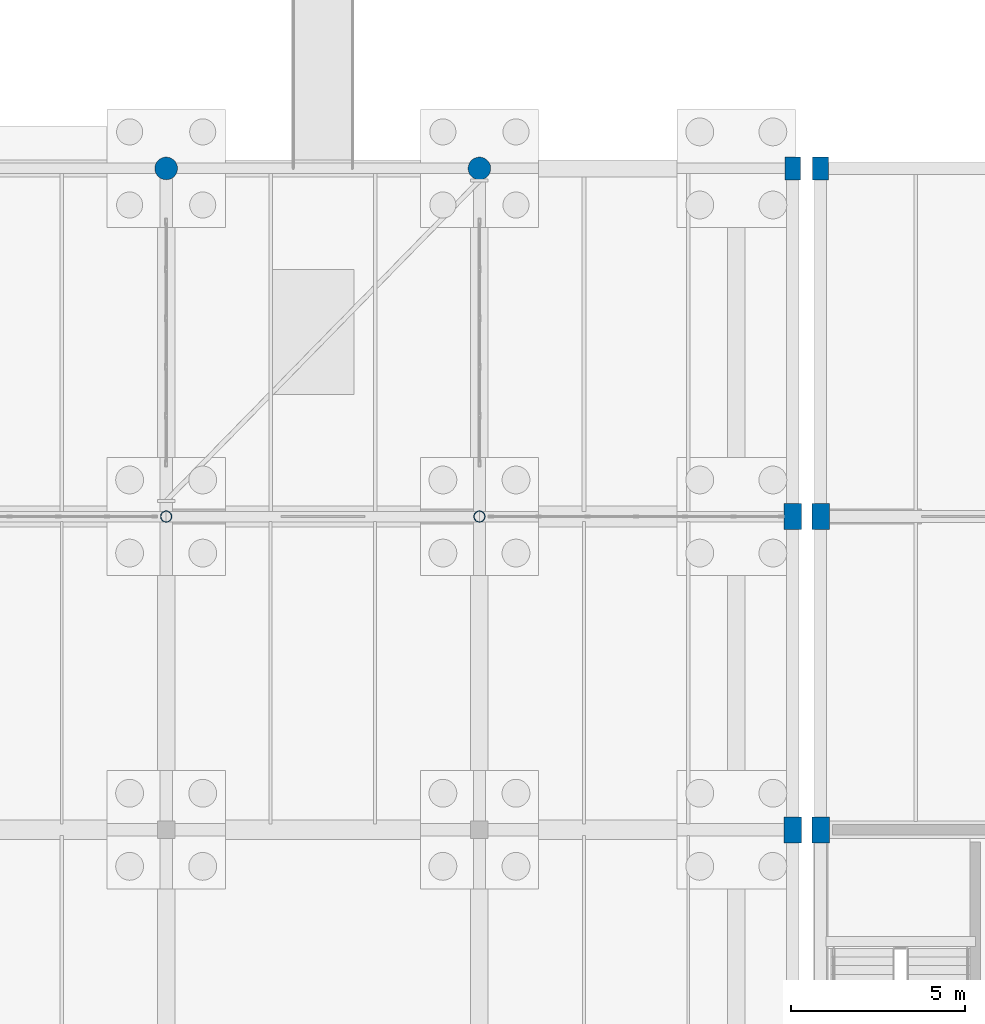
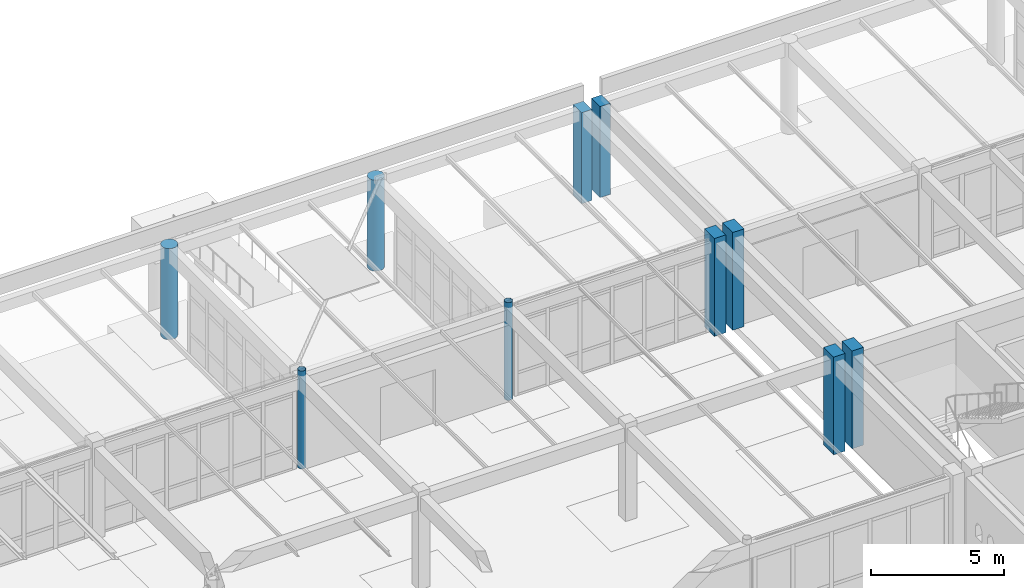
# One storey, part 14 of 186: 10 columns.
"""IFC4 building model written with IfcOpenShell, lengths in metres."""

import ifcopenshell
import ifcopenshell.guid

model = None  # the IFC model being written
_history = None  # IfcOwnerHistory: only IFC2X3 demands one
_inside = {}  # id of a spatial element -> (the spatial element, [elements in it])
_under = {}  # id of a project, library or spatial element -> (it, [spatial elements below it])
_declared = {}  # id of a project -> (the project, [libraries it declares])
_typed = {}  # id of a type object -> (the type object, [elements of that type])
_made_of = {}  # id of a material, layer set ... -> (it, [elements and type objects made of it])


def new_model(schema):
    """Start an empty IFC model of exactly this schema.

    Asked for "IFC4X3", IfcOpenShell would pick the latest addendum, in which some entities
    have other attributes; the version numbers below select the first issue.
    IFC2X3 requires an IfcOwnerHistory on every rooted entity: one is made here for all.
    """
    global model, _history
    if schema == "IFC4X3":
        model = ifcopenshell.file(schema_version=(4, 3, 0, 0))
    else:
        model = ifcopenshell.file(schema=schema)
    _inside.clear()
    _under.clear()
    _declared.clear()
    _typed.clear()
    _made_of.clear()
    _history = None
    if model.schema == "IFC2X3":
        org = make("IfcOrganization", Name="unknown")
        user = make(
            "IfcPersonAndOrganization",
            ThePerson=make("IfcPerson", FamilyName="unknown"),
            TheOrganization=org,
        )
        app = make(
            "IfcApplication",
            ApplicationDeveloper=org,
            Version="unknown",
            ApplicationFullName="unknown",
            ApplicationIdentifier="unknown",
        )
        _history = make(
            "IfcOwnerHistory",
            OwningUser=user,
            OwningApplication=app,
            ChangeAction="ADDED",
            CreationDate=0,
        )
    return model


def make(cls, **values):
    """One entity of the class cls with the attributes given. An attribute that is None is left unset."""
    return model.create_entity(
        cls, **{name: value for name, value in values.items() if value is not None}
    )


def rooted(cls, **values):
    """An entity with a GlobalId (a new one), such as an element, a storey or a relation."""
    return make(cls, GlobalId=ifcopenshell.guid.new(), OwnerHistory=_history, **values)


def si_unit(unit_type, name, prefix=None):
    """IfcSIUnit, for example si_unit("LENGTHUNIT", "METRE", prefix="MILLI")."""
    return make("IfcSIUnit", UnitType=unit_type, Prefix=prefix, Name=name)


def assignment(units):
    """IfcUnitAssignment: the units of a project."""
    return None if units is None else make("IfcUnitAssignment", Units=units)


def point(xyz):
    """IfcCartesianPoint."""
    return None if xyz is None else make("IfcCartesianPoint", Coordinates=xyz)


def direction(xyz):
    """IfcDirection."""
    return None if xyz is None else make("IfcDirection", DirectionRatios=xyz)


def frame(location, z_axis=None, x_axis=None):
    """IfcAxis2Placement3D, a coordinate frame: its origin and axes. An axis left out is left unset."""
    return make(
        "IfcAxis2Placement3D",
        Location=point(location),
        Axis=direction(z_axis),
        RefDirection=direction(x_axis),
    )


def frame_2d(location, x_axis=None):
    """IfcAxis2Placement2D, a coordinate frame in the plane: its origin and x axis."""
    return make(
        "IfcAxis2Placement2D", Location=point(location), RefDirection=direction(x_axis)
    )


def origin():
    """The frame at (0, 0, 0) with its axes left unset."""
    return frame((0.0, 0.0, 0.0))


def origin_2d():
    """The frame at (0, 0) in the plane with its x axis left unset."""
    return frame_2d((0.0, 0.0))


def place(relative_to, where):
    """IfcLocalPlacement: puts the frame where relative to a parent placement (None: the world)."""
    return make(
        "IfcLocalPlacement", PlacementRelTo=relative_to, RelativePlacement=where
    )


def context(
    kind, dimensions, precision=None, world=None, true_north=None, identifier=None
):
    """IfcGeometricRepresentationContext, for example the 3D "Model" context."""
    return make(
        "IfcGeometricRepresentationContext",
        ContextIdentifier=identifier,
        ContextType=kind,
        CoordinateSpaceDimension=dimensions,
        Precision=precision,
        WorldCoordinateSystem=world,
        TrueNorth=true_north,
    )


def subcontext(parent, identifier, kind, view, scale=None):
    """IfcGeometricRepresentationSubContext, for example "Body" below "Model"."""
    return make(
        "IfcGeometricRepresentationSubContext",
        ContextIdentifier=identifier,
        ContextType=kind,
        ParentContext=parent,
        TargetScale=scale,
        TargetView=view,
    )


def project(units=None, contexts=None):
    """IfcProject with its units and contexts."""
    return rooted(
        "IfcProject",
        Name="project",
        RepresentationContexts=contexts,
        UnitsInContext=assignment(units),
    )


def spatial(cls, under=None, at=None, **own):
    """A site, building, storey or space (cls), placed at a placement, below another one or the project."""
    s = rooted(cls, ObjectPlacement=at, **own)
    if under is not None:
        _under.setdefault(under.id(), (under, []))[1].append(s)
    return s


def profile(cls, at=None, kind="AREA", **sizes):
    """A parametric profile (cls). Its sizes go by their IFC names, for example OverallWidth=200.0."""
    return make(cls, ProfileType=kind, Position=at, **sizes)


def rectangle(**sizes):
    """IfcRectangleProfileDef."""
    return profile("IfcRectangleProfileDef", **sizes)


def circle(**sizes):
    """IfcCircleProfileDef."""
    return profile("IfcCircleProfileDef", **sizes)


def hollow_circle(**sizes):
    """IfcCircleHollowProfileDef."""
    return profile("IfcCircleHollowProfileDef", **sizes)


def extrude(swept, where, along, depth):
    """IfcExtrudedAreaSolid: the profile swept, set in the frame where, extruded along a direction by depth."""
    return make(
        "IfcExtrudedAreaSolid",
        SweptArea=swept,
        Position=where,
        ExtrudedDirection=direction(along),
        Depth=depth,
    )


def shape(context_of_items, identifier, shape_type, items):
    """IfcShapeRepresentation: the items that make up one representation, for example the "Body"."""
    return make(
        "IfcShapeRepresentation",
        ContextOfItems=context_of_items,
        RepresentationIdentifier=identifier,
        RepresentationType=shape_type,
        Items=items,
    )


def material(Name=None, Category=None):
    """IfcMaterial."""
    return make("IfcMaterial", Name=Name, Category=Category)


def material_profile(
    of_material, cross_section, Name=None, Category=None, Priority=None
):
    """IfcMaterialProfile: a cross section and its material."""
    return make(
        "IfcMaterialProfile",
        Name=Name,
        Material=of_material,
        Profile=cross_section,
        Priority=Priority,
        Category=Category,
    )


def profile_set(profiles, Name=None, composite=None):
    """IfcMaterialProfileSet."""
    return make(
        "IfcMaterialProfileSet",
        Name=Name,
        MaterialProfiles=profiles,
        CompositeProfile=composite,
    )


def made_of(thing, what):
    """Note that an element or type object is made of a material, layer set ...; save() writes the relation."""
    if what is not None:
        _made_of.setdefault(what.id(), (what, []))[1].append(thing)
    return thing


def type_object(cls, material=None, **own):
    """A type object (cls), such as IfcWallType, which elements share."""
    return made_of(rooted(cls, **own), material)


def element(
    cls,
    number,
    at=None,
    inside=None,
    cuts=None,
    type_object=None,
    material=None,
    context=None,
    identifier="Body",
    shape_type=None,
    held_by="IfcProductDefinitionShape",
    body=None,
    shapes=None,
    **own,
):
    """One element of the class cls, such as IfcWall. Its Tag is "e" and its number.

    at: its placement. inside: the storey or other place that contains it. cuts: it is an
    opening in that element (IfcRelVoidsElement). A single representation is given by context,
    identifier, shape_type and body (its items); several are given by shapes. held_by: the class
    of the entity that holds the representations. save() writes the other relations.
    """
    e = rooted(cls, Tag="e%d" % number, ObjectPlacement=at, **own)
    if body is not None:
        shapes = [shape(context, identifier, shape_type, body)]
    if shapes is not None:
        e.Representation = make(held_by, Representations=shapes)
    if inside is not None:
        _inside.setdefault(inside.id(), (inside, []))[1].append(e)
    if cuts is not None:
        rooted(
            "IfcRelVoidsElement", RelatingBuildingElement=cuts, RelatedOpeningElement=e
        )
    if type_object is not None:
        _typed.setdefault(type_object.id(), (type_object, []))[1].append(e)
    return made_of(e, material)


def aggregate(whole, parts):
    """IfcRelAggregates: a whole, such as a stair, and the parts it consists of."""
    return rooted("IfcRelAggregates", RelatingObject=whole, RelatedObjects=parts)


def save(model, path):
    """Write the relations noted so far, then the file.

    IfcRelAggregates (storeys below a building ...), IfcRelContainedInSpatialStructure (elements
    in a storey), IfcRelDefinesByType, IfcRelAssociatesMaterial and IfcRelDeclares: one each for
    every whole, place, type object, material and project.
    """
    for whole, parts in _under.values():
        aggregate(whole, parts)
    for where, things in _inside.values():
        rooted(
            "IfcRelContainedInSpatialStructure",
            RelatedElements=things,
            RelatingStructure=where,
        )
    for kind, things in _typed.values():
        rooted("IfcRelDefinesByType", RelatedObjects=things, RelatingType=kind)
    for what, things in _made_of.values():
        rooted("IfcRelAssociatesMaterial", RelatedObjects=things, RelatingMaterial=what)
    for by, libraries in _declared.values():
        rooted("IfcRelDeclares", RelatingContext=by, RelatedDefinitions=libraries)
    model.write(path)


model = new_model("IFC4")

# Units and contexts
model_context = context("Model", 3, precision=1e-05, world=origin(), true_north=direction((0.0, 1.0)))
body_context = subcontext(model_context, "Body", "Model", "MODEL_VIEW")
ifc_project = project(units=[si_unit("LENGTHUNIT", "METRE"), si_unit("AREAUNIT", "SQUARE_METRE"), si_unit("VOLUMEUNIT", "CUBIC_METRE"), si_unit("PLANEANGLEUNIT", "RADIAN"), si_unit("MASSUNIT", "GRAM", prefix="KILO")], contexts=[model_context])

# Site, building, storey
site_placement = place(None, origin())
site = spatial("IfcSite", under=ifc_project, at=site_placement, CompositionType="ELEMENT")
building_placement = place(site_placement, origin())
building = spatial("IfcBuilding", under=site, at=building_placement, Name="Ornek Quay Market", CompositionType="ELEMENT")
storey_placement = place(building_placement, origin())
storey = spatial("IfcBuildingStorey", under=building, at=storey_placement, Name="L00", CompositionType="ELEMENT", Elevation=0.0)

# Columns
ifc_material_1 = material(Name="Concrete C40/50", Category="concrete")
ifc_material_profile_1 = material_profile(ifc_material_1, rectangle(XDim=0.449951171875, YDim=0.64990234375, at=origin_2d()), Name="RC 450x650", Category="concrete")
ifc_profile_set_1 = profile_set([ifc_material_profile_1], Name="Concrete C40/50")
column_type_1 = type_object("IfcColumnType", Name="COL-MJ-450x650", PredefinedType="COLUMN", material=ifc_profile_set_1)
for number, where, z_axis, x_axis, name in (
    (1, (54.0, 120.0, 0.0), (0.0, 0.0, 1.0), (1.0, 0.0, 0.0), "Column C-MJ2-006"),
    (2, (54.800048828125, 120.0, 0.0), (0.0, 0.0, 1.0), (1.0, 0.0, 0.0), "Column C-MJ2-025"),
):
    element("IfcColumn", number, at=place(storey_placement, frame(where, z_axis=z_axis, x_axis=x_axis)), inside=storey, type_object=column_type_1, Name=name, PredefinedType="COLUMN", context=body_context, shape_type="SweptSolid", body=[
        extrude(rectangle(XDim=0.449951171875, YDim=0.64990234375, at=origin_2d()), origin(), (0.0, 0.0, 1.0), 4.18994140625),
    ])
ifc_material_profile_2 = material_profile(ifc_material_1, rectangle(XDim=0.5, YDim=0.75, at=origin_2d()), Name="RC 500x750", Category="concrete")
ifc_profile_set_2 = profile_set([ifc_material_profile_2], Name="Concrete C40/50")
column_type_2 = type_object("IfcColumnType", Name="COL-MJ-500x750", PredefinedType="COLUMN", material=ifc_profile_set_2)
for number, where, z_axis, x_axis, name in (
    (3, (54.0, 101.0, 0.0), (0.0, 0.0, 1.0), (1.0, 0.0, 0.0), "Column C-MJ1-004"),
    (4, (54.0, 110.0, 0.0), (0.0, 0.0, 1.0), (1.0, 0.0, 0.0), "Column C-MJ1-005"),
    (5, (54.800048828125, 101.0, 0.0), (0.0, 0.0, 1.0), (1.0, 0.0, 0.0), "Column C-MJ1-027"),
    (6, (54.800048828125, 110.0, 0.0), (0.0, 0.0, 1.0), (1.0, 0.0, 0.0), "Column C-MJ1-029"),
):
    element("IfcColumn", number, at=place(storey_placement, frame(where, z_axis=z_axis, x_axis=x_axis)), inside=storey, type_object=column_type_2, Name=name, PredefinedType="COLUMN", context=body_context, shape_type="SweptSolid", body=[
        extrude(rectangle(XDim=0.5, YDim=0.75, at=origin_2d()), origin(), (0.0, 0.0, 1.0), 4.5),
    ])
ifc_material_2 = material(Name="Steel S355", Category="steel")
ifc_material_profile_3 = material_profile(ifc_material_2, hollow_circle(Radius=0.161865234375, WallThickness=0.012451171875, at=origin_2d()), Name="CHS 323.9x12.5", Category="steel")
ifc_profile_set_3 = profile_set([ifc_material_profile_3], Name="Steel S355")
column_type_3 = type_object("IfcColumnType", Name="COL-PORCH-CHS323", PredefinedType="PILASTER", material=ifc_profile_set_3)
for number, where, z_axis, x_axis, name in (
    (7, (36.0, 110.0, 0.0), (0.0, 0.0, 1.0), (1.0, 0.0, 0.0), "Column C-ST1-002"),
    (8, (45.0, 110.0, 0.0), (0.0, 0.0, 1.0), (1.0, 0.0, 0.0), "Column C-ST1-004"),
):
    element("IfcColumn", number, at=place(storey_placement, frame(where, z_axis=z_axis, x_axis=x_axis)), inside=storey, type_object=column_type_3, Name=name, PredefinedType="PILASTER", context=body_context, shape_type="SweptSolid", body=[
        extrude(hollow_circle(Radius=0.161865234375, WallThickness=0.012451171875, at=origin_2d()), origin(), (0.0, 0.0, 1.0), 4.5),
    ])
ifc_material_profile_4 = material_profile(ifc_material_1, circle(Radius=0.324951171875, at=origin_2d()), Name="RC D650", Category="concrete")
ifc_profile_set_4 = profile_set([ifc_material_profile_4], Name="Concrete C40/50")
column_type_4 = type_object("IfcColumnType", Name="COL-QUAY-D650", PredefinedType="COLUMN", material=ifc_profile_set_4)
for number, where, z_axis, x_axis, name in (
    (9, (36.0, 120.0, 0.0), (0.0, 0.0, 1.0), (1.0, 0.0, 0.0), "Column C-QD1-005"),
    (10, (45.0, 120.0, 0.0), (0.0, 0.0, 1.0), (1.0, 0.0, 0.0), "Column C-QD1-006"),
):
    element("IfcColumn", number, at=place(storey_placement, frame(where, z_axis=z_axis, x_axis=x_axis)), inside=storey, type_object=column_type_4, Name=name, PredefinedType="COLUMN", context=body_context, shape_type="SweptSolid", body=[
        extrude(circle(Radius=0.324951171875, at=origin_2d()), origin(), (0.0, 0.0, 1.0), 4.18994140625),
    ])

save(model, "model.ifc")
